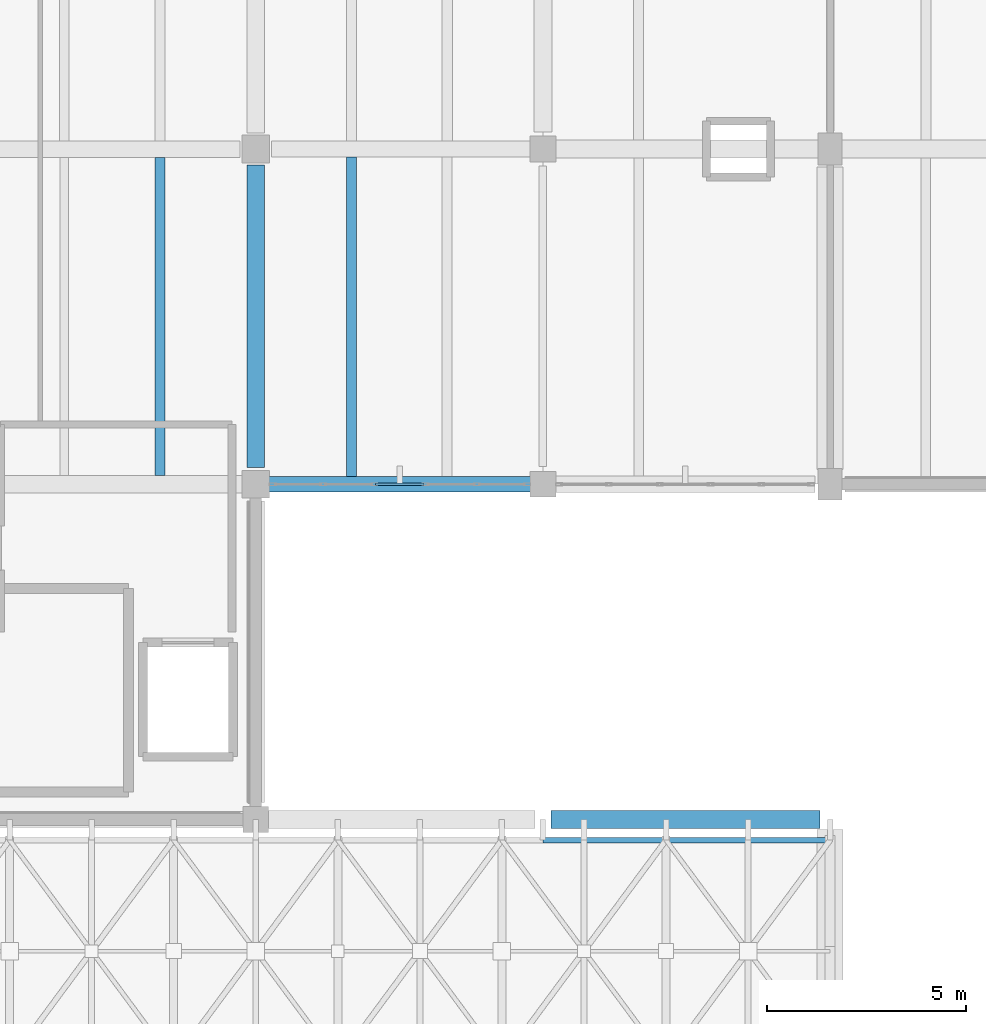
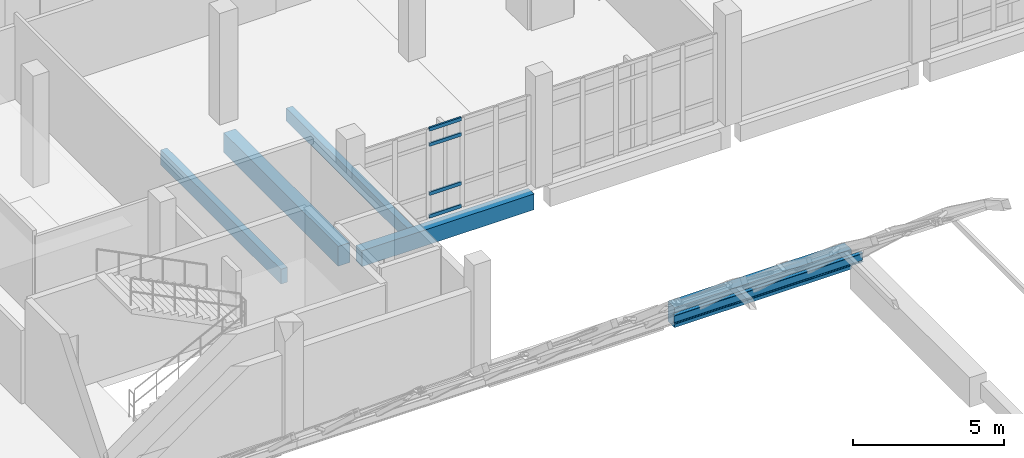
# One storey, part 41 of 87: 6 beams, 4 members, 1 element without a shape of its own.
"""IFC4 building model written with IfcOpenShell, lengths in metres."""

from ifc_helpers import new_model, si_unit, direction, frame, origin, origin_2d, place, context, subcontext, project, spatial, rectangle, hollow_rectangle, i_section, extrude, material, material_profile, profile_set, type_object, element, aggregate, save


model = new_model("IFC4")

# Units and contexts
model_context = context("Model", 3, precision=1e-05, world=origin(), true_north=direction((0.0, 1.0)))
body_context = subcontext(model_context, "Body", "Model", "MODEL_VIEW")
ifc_project = project(units=[si_unit("LENGTHUNIT", "METRE"), si_unit("AREAUNIT", "SQUARE_METRE"), si_unit("VOLUMEUNIT", "CUBIC_METRE"), si_unit("PLANEANGLEUNIT", "RADIAN"), si_unit("MASSUNIT", "GRAM", prefix="KILO")], contexts=[model_context])

# Site, building, storey
site_placement = place(None, origin())
site = spatial("IfcSite", under=ifc_project, at=site_placement, CompositionType="ELEMENT")
building_placement = place(site_placement, origin())
building = spatial("IfcBuilding", under=site, at=building_placement, Name="Kalluvel Institute of Natural Sciences", CompositionType="ELEMENT")
storey_placement = place(building_placement, frame((0.0, 0.0, 18.89990234375)))
storey = spatial("IfcBuildingStorey", under=building, at=storey_placement, Name="L04", CompositionType="ELEMENT", Elevation=18.89990234375)

# Beams
ifc_material_1 = material(Name="Steel E350 Grade 350", Category="steel")
ifc_material_profile_1 = material_profile(ifc_material_1, i_section(OverallWidth=0.139892578125, OverallDepth=0.35009765625, WebThickness=0.008056640625, FlangeThickness=0.01416015625, FilletRadius=0.013916015625, at=origin_2d()), Name="ISMB 350")
ifc_profile_set_1 = profile_set([ifc_material_profile_1], Name="Steel E350 Grade 350")
beam_type_1 = type_object("IfcBeamType", Name="BM-ISMB350", PredefinedType="BEAM", material=ifc_profile_set_1)
beam_1_placement = place(storey_placement, frame((64.39990234375, 93.8798828125, -0.1748046875), z_axis=(1.0, 0.0, 0.0), x_axis=(0.0, 1.0, 0.0)))
element("IfcBeam", 1, at=beam_1_placement, inside=storey, type_object=beam_type_1, Name="Atrium gridshell north springing ring beam 4", PredefinedType="BEAM", context=body_context, shape_type="SweptSolid", body=[
    extrude(i_section(OverallWidth=0.139892578125, OverallDepth=0.35009765625, WebThickness=0.008056640625, FlangeThickness=0.01416015625, FilletRadius=0.013916015625, at=origin_2d()), origin(), (0.0, 0.0, 1.0), 7.2001953125),
])
ifc_material_2 = material(Name="Concrete M40", Category="concrete")
ifc_material_profile_2 = material_profile(ifc_material_2, rectangle(XDim=0.3798828125, YDim=0.639892578125, at=origin_2d()), Name="RCB 380x640")
ifc_profile_set_2 = profile_set([ifc_material_profile_2], Name="Concrete M40")
beam_type_2 = type_object("IfcBeamType", Name="BM-RC380x640", PredefinedType="BEAM", material=ifc_profile_set_2)
beam_2_placement = place(storey_placement, frame((57.52490234375, 102.800048828125, -0.639892578125), z_axis=(1.0, 0.0, 0.0), x_axis=(0.0, 1.0, 0.0)))
element("IfcBeam", 2, at=beam_2_placement, inside=storey, type_object=beam_type_2, Name="L04 girder GIR-L04-EW-X572-Y1028", PredefinedType="BEAM", context=body_context, shape_type="SweptSolid", body=[
    extrude(rectangle(XDim=0.3798828125, YDim=0.639892578125, at=origin_2d()), origin(), (0.0, 0.0, 1.0), 6.5751953125),
])
ifc_material_profile_3 = material_profile(ifc_material_2, rectangle(XDim=0.449951171875, YDim=0.800048828125, at=origin_2d()), Name="RCB 450x800")
ifc_profile_set_3 = profile_set([ifc_material_profile_3], Name="Concrete M40")
beam_type_3 = type_object("IfcBeamType", Name="BM-RC450x800", PredefinedType="BEAM", material=ifc_profile_set_3)
beam_3_placement = place(storey_placement, frame((64.60009765625, 94.39990234375, -0.3798828125), z_axis=(1.0, 0.0, 0.0), x_axis=(0.0, 1.0, 0.0)))
element("IfcBeam", 3, at=beam_3_placement, inside=storey, type_object=beam_type_3, Name="L04 girder GIR-L04-EW-X644-Y944", PredefinedType="BEAM", context=body_context, shape_type="SweptSolid", body=[
    extrude(rectangle(XDim=0.449951171875, YDim=0.800048828125, at=origin_2d()), origin(), (0.0, 0.0, 1.0), 6.75),
])
beam_4_placement = place(storey_placement, frame((57.199951171875, 103.22509765625, -0.719970703125), z_axis=(0.0, 1.0, 0.0), x_axis=(-1.0, 0.0, 0.0)))
element("IfcBeam", 4, at=beam_4_placement, inside=storey, type_object=beam_type_3, Name="L04 girder GIR-L04-NS-X572-Y1028", PredefinedType="BEAM", context=body_context, shape_type="SweptSolid", body=[
    extrude(rectangle(XDim=0.449951171875, YDim=0.800048828125, at=origin_2d()), origin(), (0.0, 0.0, 1.0), 7.574951171875),
])

# Curtain wall, members
ifc_material_3 = material(Name="Aluminium AW-6063 T6", Category="aluminium")
curtain_wall_type = type_object("IfcCurtainWallType", Name="CW-WET-45", PredefinedType="USERDEFINED", material=ifc_material_3)
curtain_wall_placement = place(storey_placement, origin())
curtain_wall = element("IfcCurtainWall", 5, at=curtain_wall_placement, inside=storey, type_object=curtain_wall_type, Name="L04 Gothic lancet curtain wall CWA-L04-X576-Y1028", ObjectType="UNITISED LANCET FACADE", PredefinedType="USERDEFINED")
ifc_material_profile_4 = material_profile(ifc_material_3, hollow_rectangle(XDim=0.06494140625, YDim=0.139892578125, WallThickness=0.00439453125, at=origin_2d()), Name="CWT 65x140")
ifc_profile_set_4 = profile_set([ifc_material_profile_4], Name="Aluminium AW-6063 T6")
member_type = type_object("IfcMemberType", Name="CWT-65x140", PredefinedType="USERDEFINED", material=ifc_profile_set_4)
member_1_placement = place(storey_placement, frame((60.202392578125, 102.800048828125, 0.03271484375), z_axis=(1.0, 0.0, 0.0), x_axis=(0.0, 1.0, 0.0)))
member_1 = element("IfcMember", 6, at=member_1_placement, type_object=member_type, Name="CW-01 transom 3.1", ObjectType="TRANSOM", PredefinedType="USERDEFINED", context=body_context, shape_type="SweptSolid", body=[
    extrude(hollow_rectangle(XDim=0.06494140625, YDim=0.139892578125, WallThickness=0.00439453125, at=origin_2d()), origin(), (0.0, 0.0, 1.0), 1.22021484375),
])
member_2_placement = place(storey_placement, frame((60.202392578125, 102.800048828125, 0.9501953125), z_axis=(1.0, 0.0, 0.0), x_axis=(0.0, 1.0, 0.0)))
member_2 = element("IfcMember", 7, at=member_2_placement, type_object=member_type, Name="CW-01 transom 3.2", ObjectType="TRANSOM", PredefinedType="USERDEFINED", context=body_context, shape_type="SweptSolid", body=[
    extrude(hollow_rectangle(XDim=0.06494140625, YDim=0.139892578125, WallThickness=0.00439453125, at=origin_2d()), origin(), (0.0, 0.0, 1.0), 1.22021484375),
])
member_3_placement = place(storey_placement, frame((60.202392578125, 102.800048828125, 2.93017578125), z_axis=(1.0, 0.0, 0.0), x_axis=(0.0, 1.0, 0.0)))
member_3 = element("IfcMember", 8, at=member_3_placement, type_object=member_type, Name="CW-01 transom 3.3", ObjectType="TRANSOM", PredefinedType="USERDEFINED", context=body_context, shape_type="SweptSolid", body=[
    extrude(hollow_rectangle(XDim=0.06494140625, YDim=0.139892578125, WallThickness=0.00439453125, at=origin_2d()), origin(), (0.0, 0.0, 1.0), 1.22021484375),
])
member_4_placement = place(storey_placement, frame((60.202392578125, 102.800048828125, 3.547607421875), z_axis=(1.0, 0.0, 0.0), x_axis=(0.0, 1.0, 0.0)))
member_4 = element("IfcMember", 9, at=member_4_placement, type_object=member_type, Name="CW-01 transom 3.4", ObjectType="TRANSOM", PredefinedType="USERDEFINED", context=body_context, shape_type="SweptSolid", body=[
    extrude(hollow_rectangle(XDim=0.06494140625, YDim=0.139892578125, WallThickness=0.00439453125, at=origin_2d()), origin(), (0.0, 0.0, 1.0), 1.22021484375),
])
aggregate(curtain_wall, [member_1, member_2, member_3, member_4])

# Beams
ifc_material_profile_5 = material_profile(ifc_material_2, rectangle(XDim=0.239990234375, YDim=0.52001953125, at=origin_2d()), Name="WAF 240x520")
ifc_profile_set_5 = profile_set([ifc_material_profile_5], Name="Concrete M40")
beam_type_4 = type_object("IfcBeamType", Name="WJ-240x520", PredefinedType="JOIST", material=ifc_profile_set_5)
beam_5_placement = place(storey_placement, frame((59.60009765625, 102.989990234375, -0.579833984375), z_axis=(0.0, 1.0, 0.0), x_axis=(-1.0, 0.0, 0.0)))
element("IfcBeam", 10, at=beam_5_placement, inside=storey, type_object=beam_type_4, Name="L04 waffle joist RIB-L04-0325", PredefinedType="JOIST", context=body_context, shape_type="SweptSolid", body=[
    extrude(rectangle(XDim=0.239990234375, YDim=0.52001953125, at=origin_2d()), origin(), (0.0, 0.0, 1.0), 8.010009765625),
])
ifc_material_profile_6 = material_profile(ifc_material_2, rectangle(XDim=0.25, YDim=0.60009765625, at=origin_2d()), Name="WAF 250x600")
ifc_profile_set_6 = profile_set([ifc_material_profile_6], Name="Concrete M40")
beam_type_5 = type_object("IfcBeamType", Name="WJ-250x600", PredefinedType="JOIST", material=ifc_profile_set_6)
beam_6_placement = place(storey_placement, frame((54.800048828125, 103.02490234375, -0.619873046875), z_axis=(0.0, 1.0, 0.0), x_axis=(-1.0, 0.0, 0.0)))
element("IfcBeam", 11, at=beam_6_placement, inside=storey, type_object=beam_type_5, Name="L04 waffle joist RIB-L04-0320", PredefinedType="JOIST", context=body_context, shape_type="SweptSolid", body=[
    extrude(rectangle(XDim=0.25, YDim=0.60009765625, at=origin_2d()), origin(), (0.0, 0.0, 1.0), 7.965087890625),
])

save(model, "model.ifc")
